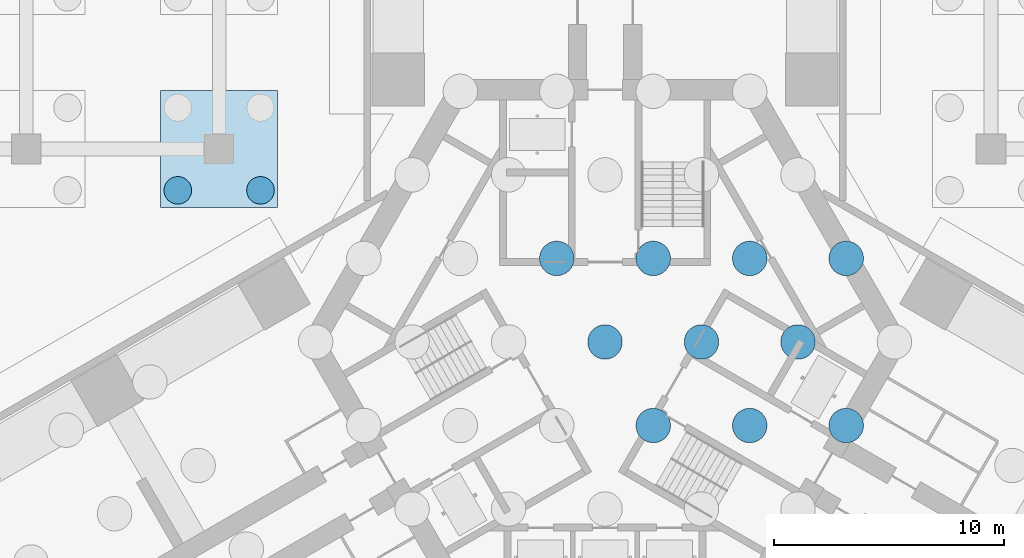
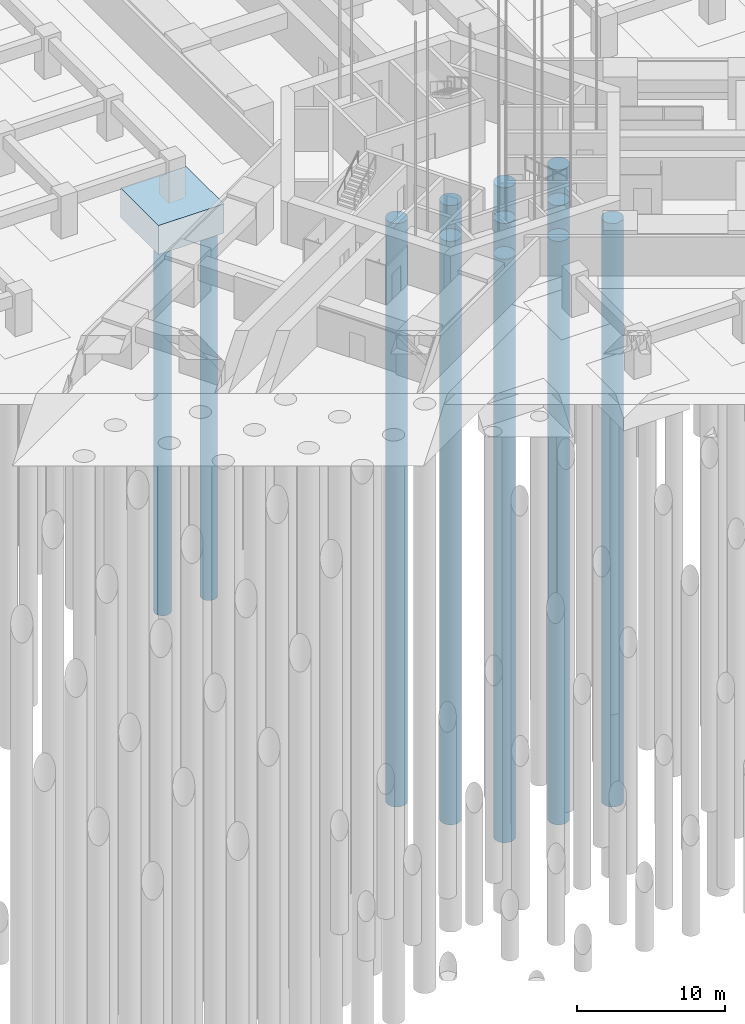
# One storey, part 17 of 73: 12 piles, 1 footing.
"""IFC4 building model written with IfcOpenShell, lengths in metres."""

from ifc_helpers import new_model, si_unit, direction, frame, origin, origin_2d, place, context, subcontext, project, spatial, polyline, circle, outline, extrude, material, material_profile, profile_set, type_object, element, save


model = new_model("IFC4")

# Units and contexts
model_context = context("Model", 3, precision=1e-05, world=origin(), true_north=direction((0.0, 1.0)))
body_context = subcontext(model_context, "Body", "Model", "MODEL_VIEW")
ifc_project = project(units=[si_unit("LENGTHUNIT", "METRE"), si_unit("AREAUNIT", "SQUARE_METRE"), si_unit("VOLUMEUNIT", "CUBIC_METRE"), si_unit("PLANEANGLEUNIT", "RADIAN"), si_unit("MASSUNIT", "GRAM", prefix="KILO")], contexts=[model_context])

# Site, building, storey
site_placement = place(None, origin())
site = spatial("IfcSite", under=ifc_project, at=site_placement, CompositionType="ELEMENT")
building_placement = place(site_placement, origin())
building = spatial("IfcBuilding", under=site, at=building_placement, Name="Impinga Residences", CompositionType="ELEMENT")
storey_placement = place(building_placement, frame((0.0, 0.0, -10.5)))
storey = spatial("IfcBuildingStorey", under=building, at=storey_placement, Name="B3", CompositionType="ELEMENT", Elevation=-10.5)

# Piles
ifc_material_1 = material(Name="Concrete C35/45", Category="concrete")
ifc_material_profile_1 = material_profile(ifc_material_1, circle(Radius=0.75, at=origin_2d()), Name="D1500")
ifc_profile_set_1 = profile_set([ifc_material_profile_1], Name="Concrete C35/45")
pile_type_1 = type_object("IfcPileType", Name="BP1 bored pile D1500", PredefinedType="BORED", material=ifc_profile_set_1)
pile_1_placement = place(storey_placement, frame((2.10009765625, -3.63720703125, -4.0), z_axis=(0.0, 0.0, -1.0), x_axis=(1.0, 0.0, 0.0)))
element("IfcPile", 1, at=pile_1_placement, inside=storey, type_object=pile_type_1, Name="Raft pile BP1-087", PredefinedType="BORED", context=body_context, shape_type="SweptSolid", body=[
    extrude(outline(polyline([(0.75, 0.0), (0.746337890625, 0.073486328125), (0.735595703125, 0.146240234375), (0.7177734375, 0.2177734375), (0.69287109375, 0.287109375), (0.661376953125, 0.353515625), (0.62353515625, 0.416748046875), (0.579833984375, 0.475830078125), (0.5302734375, 0.5302734375), (0.475830078125, 0.579833984375), (0.416748046875, 0.62353515625), (0.353515625, 0.661376953125), (0.287109375, 0.69287109375), (0.2177734375, 0.7177734375), (0.146240234375, 0.735595703125), (0.073486328125, 0.746337890625), (0.0, 0.75), (-0.073486328125, 0.746337890625), (-0.146240234375, 0.735595703125), (-0.2177734375, 0.7177734375), (-0.287109375, 0.69287109375), (-0.353515625, 0.661376953125), (-0.416748046875, 0.62353515625), (-0.475830078125, 0.579833984375), (-0.5302734375, 0.5302734375), (-0.579833984375, 0.475830078125), (-0.62353515625, 0.416748046875), (-0.661376953125, 0.353515625), (-0.69287109375, 0.287109375), (-0.7177734375, 0.2177734375), (-0.735595703125, 0.146240234375), (-0.746337890625, 0.073486328125), (-0.75, 0.0), (-0.746337890625, -0.073486328125), (-0.735595703125, -0.146240234375), (-0.7177734375, -0.2177734375), (-0.69287109375, -0.287109375), (-0.661376953125, -0.353515625), (-0.62353515625, -0.416748046875), (-0.579833984375, -0.475830078125), (-0.5302734375, -0.5302734375), (-0.475830078125, -0.579833984375), (-0.416748046875, -0.62353515625), (-0.353515625, -0.661376953125), (-0.287109375, -0.69287109375), (-0.2177734375, -0.7177734375), (-0.146240234375, -0.735595703125), (-0.073486328125, -0.746337890625), (0.0, -0.75), (0.073486328125, -0.746337890625), (0.146240234375, -0.735595703125), (0.2177734375, -0.7177734375), (0.287109375, -0.69287109375), (0.353515625, -0.661376953125), (0.416748046875, -0.62353515625), (0.475830078125, -0.579833984375), (0.5302734375, -0.5302734375), (0.579833984375, -0.475830078125), (0.62353515625, -0.416748046875), (0.661376953125, -0.353515625), (0.69287109375, -0.287109375), (0.7177734375, -0.2177734375), (0.735595703125, -0.146240234375), (0.746337890625, -0.073486328125), (0.75, 0.0)])), origin(), (0.0, 0.0, 1.0), 48.0),
])
pile_2_placement = place(storey_placement, frame((6.300048828125, -3.63720703125, -4.0), z_axis=(0.0, 0.0, -1.0), x_axis=(1.0, 0.0, 0.0)))
element("IfcPile", 2, at=pile_2_placement, inside=storey, type_object=pile_type_1, Name="Raft pile BP1-088", PredefinedType="BORED", context=body_context, shape_type="SweptSolid", body=[
    extrude(outline(polyline([(0.75, 0.0), (0.746337890625, 0.073486328125), (0.735595703125, 0.146240234375), (0.7177734375, 0.2177734375), (0.69287109375, 0.287109375), (0.661376953125, 0.353515625), (0.62353515625, 0.416748046875), (0.579833984375, 0.475830078125), (0.5302734375, 0.5302734375), (0.475830078125, 0.579833984375), (0.416748046875, 0.62353515625), (0.353515625, 0.661376953125), (0.287109375, 0.69287109375), (0.2177734375, 0.7177734375), (0.146240234375, 0.735595703125), (0.073486328125, 0.746337890625), (0.0, 0.75), (-0.073486328125, 0.746337890625), (-0.146240234375, 0.735595703125), (-0.2177734375, 0.7177734375), (-0.287109375, 0.69287109375), (-0.353515625, 0.661376953125), (-0.416748046875, 0.62353515625), (-0.475830078125, 0.579833984375), (-0.5302734375, 0.5302734375), (-0.579833984375, 0.475830078125), (-0.62353515625, 0.416748046875), (-0.661376953125, 0.353515625), (-0.69287109375, 0.287109375), (-0.7177734375, 0.2177734375), (-0.735595703125, 0.146240234375), (-0.746337890625, 0.073486328125), (-0.75, 0.0), (-0.746337890625, -0.073486328125), (-0.735595703125, -0.146240234375), (-0.7177734375, -0.2177734375), (-0.69287109375, -0.287109375), (-0.661376953125, -0.353515625), (-0.62353515625, -0.416748046875), (-0.579833984375, -0.475830078125), (-0.5302734375, -0.5302734375), (-0.475830078125, -0.579833984375), (-0.416748046875, -0.62353515625), (-0.353515625, -0.661376953125), (-0.287109375, -0.69287109375), (-0.2177734375, -0.7177734375), (-0.146240234375, -0.735595703125), (-0.073486328125, -0.746337890625), (0.0, -0.75), (0.073486328125, -0.746337890625), (0.146240234375, -0.735595703125), (0.2177734375, -0.7177734375), (0.287109375, -0.69287109375), (0.353515625, -0.661376953125), (0.416748046875, -0.62353515625), (0.475830078125, -0.579833984375), (0.5302734375, -0.5302734375), (0.579833984375, -0.475830078125), (0.62353515625, -0.416748046875), (0.661376953125, -0.353515625), (0.69287109375, -0.287109375), (0.7177734375, -0.2177734375), (0.735595703125, -0.146240234375), (0.746337890625, -0.073486328125), (0.75, 0.0)])), origin(), (0.0, 0.0, 1.0), 48.0),
])
pile_3_placement = place(storey_placement, frame((10.5, -3.63720703125, -4.0), z_axis=(0.0, 0.0, -1.0), x_axis=(1.0, 0.0, 0.0)))
element("IfcPile", 3, at=pile_3_placement, inside=storey, type_object=pile_type_1, Name="Raft pile BP1-089", PredefinedType="BORED", context=body_context, shape_type="SweptSolid", body=[
    extrude(outline(polyline([(0.75, 0.0), (0.746337890625, 0.073486328125), (0.735595703125, 0.146240234375), (0.7177734375, 0.2177734375), (0.69287109375, 0.287109375), (0.661376953125, 0.353515625), (0.62353515625, 0.416748046875), (0.579833984375, 0.475830078125), (0.5302734375, 0.5302734375), (0.475830078125, 0.579833984375), (0.416748046875, 0.62353515625), (0.353515625, 0.661376953125), (0.287109375, 0.69287109375), (0.2177734375, 0.7177734375), (0.146240234375, 0.735595703125), (0.073486328125, 0.746337890625), (0.0, 0.75), (-0.073486328125, 0.746337890625), (-0.146240234375, 0.735595703125), (-0.2177734375, 0.7177734375), (-0.287109375, 0.69287109375), (-0.353515625, 0.661376953125), (-0.416748046875, 0.62353515625), (-0.475830078125, 0.579833984375), (-0.5302734375, 0.5302734375), (-0.579833984375, 0.475830078125), (-0.62353515625, 0.416748046875), (-0.661376953125, 0.353515625), (-0.69287109375, 0.287109375), (-0.7177734375, 0.2177734375), (-0.735595703125, 0.146240234375), (-0.746337890625, 0.073486328125), (-0.75, 0.0), (-0.746337890625, -0.073486328125), (-0.735595703125, -0.146240234375), (-0.7177734375, -0.2177734375), (-0.69287109375, -0.287109375), (-0.661376953125, -0.353515625), (-0.62353515625, -0.416748046875), (-0.579833984375, -0.475830078125), (-0.5302734375, -0.5302734375), (-0.475830078125, -0.579833984375), (-0.416748046875, -0.62353515625), (-0.353515625, -0.661376953125), (-0.287109375, -0.69287109375), (-0.2177734375, -0.7177734375), (-0.146240234375, -0.735595703125), (-0.073486328125, -0.746337890625), (0.0, -0.75), (0.073486328125, -0.746337890625), (0.146240234375, -0.735595703125), (0.2177734375, -0.7177734375), (0.287109375, -0.69287109375), (0.353515625, -0.661376953125), (0.416748046875, -0.62353515625), (0.475830078125, -0.579833984375), (0.5302734375, -0.5302734375), (0.579833984375, -0.475830078125), (0.62353515625, -0.416748046875), (0.661376953125, -0.353515625), (0.69287109375, -0.287109375), (0.7177734375, -0.2177734375), (0.735595703125, -0.146240234375), (0.746337890625, -0.073486328125), (0.75, 0.0)])), origin(), (0.0, 0.0, 1.0), 48.0),
])
pile_4_placement = place(storey_placement, frame((0.0, 0.0, -4.0), z_axis=(0.0, 0.0, -1.0), x_axis=(1.0, 0.0, 0.0)))
element("IfcPile", 4, at=pile_4_placement, inside=storey, type_object=pile_type_1, Name="Raft pile BP1-095", PredefinedType="BORED", context=body_context, shape_type="SweptSolid", body=[
    extrude(outline(polyline([(0.75, 0.0), (0.746337890625, 0.073486328125), (0.735595703125, 0.146240234375), (0.7177734375, 0.2177734375), (0.69287109375, 0.287109375), (0.661376953125, 0.353515625), (0.62353515625, 0.416748046875), (0.579833984375, 0.475830078125), (0.5302734375, 0.5302734375), (0.475830078125, 0.579833984375), (0.416748046875, 0.62353515625), (0.353515625, 0.661376953125), (0.287109375, 0.69287109375), (0.2177734375, 0.7177734375), (0.146240234375, 0.735595703125), (0.073486328125, 0.746337890625), (0.0, 0.75), (-0.073486328125, 0.746337890625), (-0.146240234375, 0.735595703125), (-0.2177734375, 0.7177734375), (-0.287109375, 0.69287109375), (-0.353515625, 0.661376953125), (-0.416748046875, 0.62353515625), (-0.475830078125, 0.579833984375), (-0.5302734375, 0.5302734375), (-0.579833984375, 0.475830078125), (-0.62353515625, 0.416748046875), (-0.661376953125, 0.353515625), (-0.69287109375, 0.287109375), (-0.7177734375, 0.2177734375), (-0.735595703125, 0.146240234375), (-0.746337890625, 0.073486328125), (-0.75, 0.0), (-0.746337890625, -0.073486328125), (-0.735595703125, -0.146240234375), (-0.7177734375, -0.2177734375), (-0.69287109375, -0.287109375), (-0.661376953125, -0.353515625), (-0.62353515625, -0.416748046875), (-0.579833984375, -0.475830078125), (-0.5302734375, -0.5302734375), (-0.475830078125, -0.579833984375), (-0.416748046875, -0.62353515625), (-0.353515625, -0.661376953125), (-0.287109375, -0.69287109375), (-0.2177734375, -0.7177734375), (-0.146240234375, -0.735595703125), (-0.073486328125, -0.746337890625), (0.0, -0.75), (0.073486328125, -0.746337890625), (0.146240234375, -0.735595703125), (0.2177734375, -0.7177734375), (0.287109375, -0.69287109375), (0.353515625, -0.661376953125), (0.416748046875, -0.62353515625), (0.475830078125, -0.579833984375), (0.5302734375, -0.5302734375), (0.579833984375, -0.475830078125), (0.62353515625, -0.416748046875), (0.661376953125, -0.353515625), (0.69287109375, -0.287109375), (0.7177734375, -0.2177734375), (0.735595703125, -0.146240234375), (0.746337890625, -0.073486328125), (0.75, 0.0)])), origin(), (0.0, 0.0, 1.0), 48.0),
])
pile_5_placement = place(storey_placement, frame((4.199951171875, 0.0, -4.0), z_axis=(0.0, 0.0, -1.0), x_axis=(1.0, 0.0, 0.0)))
element("IfcPile", 5, at=pile_5_placement, inside=storey, type_object=pile_type_1, Name="Raft pile BP1-096", PredefinedType="BORED", context=body_context, shape_type="SweptSolid", body=[
    extrude(outline(polyline([(0.75, 0.0), (0.746337890625, 0.073486328125), (0.735595703125, 0.146240234375), (0.7177734375, 0.2177734375), (0.69287109375, 0.287109375), (0.661376953125, 0.353515625), (0.62353515625, 0.416748046875), (0.579833984375, 0.475830078125), (0.5302734375, 0.5302734375), (0.475830078125, 0.579833984375), (0.416748046875, 0.62353515625), (0.353515625, 0.661376953125), (0.287109375, 0.69287109375), (0.2177734375, 0.7177734375), (0.146240234375, 0.735595703125), (0.073486328125, 0.746337890625), (0.0, 0.75), (-0.073486328125, 0.746337890625), (-0.146240234375, 0.735595703125), (-0.2177734375, 0.7177734375), (-0.287109375, 0.69287109375), (-0.353515625, 0.661376953125), (-0.416748046875, 0.62353515625), (-0.475830078125, 0.579833984375), (-0.5302734375, 0.5302734375), (-0.579833984375, 0.475830078125), (-0.62353515625, 0.416748046875), (-0.661376953125, 0.353515625), (-0.69287109375, 0.287109375), (-0.7177734375, 0.2177734375), (-0.735595703125, 0.146240234375), (-0.746337890625, 0.073486328125), (-0.75, 0.0), (-0.746337890625, -0.073486328125), (-0.735595703125, -0.146240234375), (-0.7177734375, -0.2177734375), (-0.69287109375, -0.287109375), (-0.661376953125, -0.353515625), (-0.62353515625, -0.416748046875), (-0.579833984375, -0.475830078125), (-0.5302734375, -0.5302734375), (-0.475830078125, -0.579833984375), (-0.416748046875, -0.62353515625), (-0.353515625, -0.661376953125), (-0.287109375, -0.69287109375), (-0.2177734375, -0.7177734375), (-0.146240234375, -0.735595703125), (-0.073486328125, -0.746337890625), (0.0, -0.75), (0.073486328125, -0.746337890625), (0.146240234375, -0.735595703125), (0.2177734375, -0.7177734375), (0.287109375, -0.69287109375), (0.353515625, -0.661376953125), (0.416748046875, -0.62353515625), (0.475830078125, -0.579833984375), (0.5302734375, -0.5302734375), (0.579833984375, -0.475830078125), (0.62353515625, -0.416748046875), (0.661376953125, -0.353515625), (0.69287109375, -0.287109375), (0.7177734375, -0.2177734375), (0.735595703125, -0.146240234375), (0.746337890625, -0.073486328125), (0.75, 0.0)])), origin(), (0.0, 0.0, 1.0), 48.0),
])
pile_6_placement = place(storey_placement, frame((8.39990234375, 0.0, -4.0), z_axis=(0.0, 0.0, -1.0), x_axis=(1.0, 0.0, 0.0)))
element("IfcPile", 6, at=pile_6_placement, inside=storey, type_object=pile_type_1, Name="Raft pile BP1-097", PredefinedType="BORED", context=body_context, shape_type="SweptSolid", body=[
    extrude(outline(polyline([(0.75, 0.0), (0.746337890625, 0.073486328125), (0.735595703125, 0.146240234375), (0.7177734375, 0.2177734375), (0.69287109375, 0.287109375), (0.661376953125, 0.353515625), (0.62353515625, 0.416748046875), (0.579833984375, 0.475830078125), (0.5302734375, 0.5302734375), (0.475830078125, 0.579833984375), (0.416748046875, 0.62353515625), (0.353515625, 0.661376953125), (0.287109375, 0.69287109375), (0.2177734375, 0.7177734375), (0.146240234375, 0.735595703125), (0.073486328125, 0.746337890625), (0.0, 0.75), (-0.073486328125, 0.746337890625), (-0.146240234375, 0.735595703125), (-0.2177734375, 0.7177734375), (-0.287109375, 0.69287109375), (-0.353515625, 0.661376953125), (-0.416748046875, 0.62353515625), (-0.475830078125, 0.579833984375), (-0.5302734375, 0.5302734375), (-0.579833984375, 0.475830078125), (-0.62353515625, 0.416748046875), (-0.661376953125, 0.353515625), (-0.69287109375, 0.287109375), (-0.7177734375, 0.2177734375), (-0.735595703125, 0.146240234375), (-0.746337890625, 0.073486328125), (-0.75, 0.0), (-0.746337890625, -0.073486328125), (-0.735595703125, -0.146240234375), (-0.7177734375, -0.2177734375), (-0.69287109375, -0.287109375), (-0.661376953125, -0.353515625), (-0.62353515625, -0.416748046875), (-0.579833984375, -0.475830078125), (-0.5302734375, -0.5302734375), (-0.475830078125, -0.579833984375), (-0.416748046875, -0.62353515625), (-0.353515625, -0.661376953125), (-0.287109375, -0.69287109375), (-0.2177734375, -0.7177734375), (-0.146240234375, -0.735595703125), (-0.073486328125, -0.746337890625), (0.0, -0.75), (0.073486328125, -0.746337890625), (0.146240234375, -0.735595703125), (0.2177734375, -0.7177734375), (0.287109375, -0.69287109375), (0.353515625, -0.661376953125), (0.416748046875, -0.62353515625), (0.475830078125, -0.579833984375), (0.5302734375, -0.5302734375), (0.579833984375, -0.475830078125), (0.62353515625, -0.416748046875), (0.661376953125, -0.353515625), (0.69287109375, -0.287109375), (0.7177734375, -0.2177734375), (0.735595703125, -0.146240234375), (0.746337890625, -0.073486328125), (0.75, 0.0)])), origin(), (0.0, 0.0, 1.0), 48.0),
])
pile_7_placement = place(storey_placement, frame((-2.10009765625, 3.63720703125, -4.0), z_axis=(0.0, 0.0, -1.0), x_axis=(1.0, 0.0, 0.0)))
element("IfcPile", 7, at=pile_7_placement, inside=storey, type_object=pile_type_1, Name="Raft pile BP1-101", PredefinedType="BORED", context=body_context, shape_type="SweptSolid", body=[
    extrude(outline(polyline([(0.75, 0.0), (0.746337890625, 0.073486328125), (0.735595703125, 0.146240234375), (0.7177734375, 0.2177734375), (0.69287109375, 0.287109375), (0.661376953125, 0.353515625), (0.62353515625, 0.416748046875), (0.579833984375, 0.475830078125), (0.5302734375, 0.5302734375), (0.475830078125, 0.579833984375), (0.416748046875, 0.62353515625), (0.353515625, 0.661376953125), (0.287109375, 0.69287109375), (0.2177734375, 0.7177734375), (0.146240234375, 0.735595703125), (0.073486328125, 0.746337890625), (0.0, 0.75), (-0.073486328125, 0.746337890625), (-0.146240234375, 0.735595703125), (-0.2177734375, 0.7177734375), (-0.287109375, 0.69287109375), (-0.353515625, 0.661376953125), (-0.416748046875, 0.62353515625), (-0.475830078125, 0.579833984375), (-0.5302734375, 0.5302734375), (-0.579833984375, 0.475830078125), (-0.62353515625, 0.416748046875), (-0.661376953125, 0.353515625), (-0.69287109375, 0.287109375), (-0.7177734375, 0.2177734375), (-0.735595703125, 0.146240234375), (-0.746337890625, 0.073486328125), (-0.75, 0.0), (-0.746337890625, -0.073486328125), (-0.735595703125, -0.146240234375), (-0.7177734375, -0.2177734375), (-0.69287109375, -0.287109375), (-0.661376953125, -0.353515625), (-0.62353515625, -0.416748046875), (-0.579833984375, -0.475830078125), (-0.5302734375, -0.5302734375), (-0.475830078125, -0.579833984375), (-0.416748046875, -0.62353515625), (-0.353515625, -0.661376953125), (-0.287109375, -0.69287109375), (-0.2177734375, -0.7177734375), (-0.146240234375, -0.735595703125), (-0.073486328125, -0.746337890625), (0.0, -0.75), (0.073486328125, -0.746337890625), (0.146240234375, -0.735595703125), (0.2177734375, -0.7177734375), (0.287109375, -0.69287109375), (0.353515625, -0.661376953125), (0.416748046875, -0.62353515625), (0.475830078125, -0.579833984375), (0.5302734375, -0.5302734375), (0.579833984375, -0.475830078125), (0.62353515625, -0.416748046875), (0.661376953125, -0.353515625), (0.69287109375, -0.287109375), (0.7177734375, -0.2177734375), (0.735595703125, -0.146240234375), (0.746337890625, -0.073486328125), (0.75, 0.0)])), origin(), (0.0, 0.0, 1.0), 48.0),
])
pile_8_placement = place(storey_placement, frame((2.10009765625, 3.63720703125, -4.0), z_axis=(0.0, 0.0, -1.0), x_axis=(1.0, 0.0, 0.0)))
element("IfcPile", 8, at=pile_8_placement, inside=storey, type_object=pile_type_1, Name="Raft pile BP1-102", PredefinedType="BORED", context=body_context, shape_type="SweptSolid", body=[
    extrude(outline(polyline([(0.75, 0.0), (0.746337890625, 0.073486328125), (0.735595703125, 0.146240234375), (0.7177734375, 0.2177734375), (0.69287109375, 0.287109375), (0.661376953125, 0.353515625), (0.62353515625, 0.416748046875), (0.579833984375, 0.475830078125), (0.5302734375, 0.5302734375), (0.475830078125, 0.579833984375), (0.416748046875, 0.62353515625), (0.353515625, 0.661376953125), (0.287109375, 0.69287109375), (0.2177734375, 0.7177734375), (0.146240234375, 0.735595703125), (0.073486328125, 0.746337890625), (0.0, 0.75), (-0.073486328125, 0.746337890625), (-0.146240234375, 0.735595703125), (-0.2177734375, 0.7177734375), (-0.287109375, 0.69287109375), (-0.353515625, 0.661376953125), (-0.416748046875, 0.62353515625), (-0.475830078125, 0.579833984375), (-0.5302734375, 0.5302734375), (-0.579833984375, 0.475830078125), (-0.62353515625, 0.416748046875), (-0.661376953125, 0.353515625), (-0.69287109375, 0.287109375), (-0.7177734375, 0.2177734375), (-0.735595703125, 0.146240234375), (-0.746337890625, 0.073486328125), (-0.75, 0.0), (-0.746337890625, -0.073486328125), (-0.735595703125, -0.146240234375), (-0.7177734375, -0.2177734375), (-0.69287109375, -0.287109375), (-0.661376953125, -0.353515625), (-0.62353515625, -0.416748046875), (-0.579833984375, -0.475830078125), (-0.5302734375, -0.5302734375), (-0.475830078125, -0.579833984375), (-0.416748046875, -0.62353515625), (-0.353515625, -0.661376953125), (-0.287109375, -0.69287109375), (-0.2177734375, -0.7177734375), (-0.146240234375, -0.735595703125), (-0.073486328125, -0.746337890625), (0.0, -0.75), (0.073486328125, -0.746337890625), (0.146240234375, -0.735595703125), (0.2177734375, -0.7177734375), (0.287109375, -0.69287109375), (0.353515625, -0.661376953125), (0.416748046875, -0.62353515625), (0.475830078125, -0.579833984375), (0.5302734375, -0.5302734375), (0.579833984375, -0.475830078125), (0.62353515625, -0.416748046875), (0.661376953125, -0.353515625), (0.69287109375, -0.287109375), (0.7177734375, -0.2177734375), (0.735595703125, -0.146240234375), (0.746337890625, -0.073486328125), (0.75, 0.0)])), origin(), (0.0, 0.0, 1.0), 48.0),
])
pile_9_placement = place(storey_placement, frame((6.300048828125, 3.63720703125, -4.0), z_axis=(0.0, 0.0, -1.0), x_axis=(1.0, 0.0, 0.0)))
element("IfcPile", 9, at=pile_9_placement, inside=storey, type_object=pile_type_1, Name="Raft pile BP1-103", PredefinedType="BORED", context=body_context, shape_type="SweptSolid", body=[
    extrude(outline(polyline([(0.75, 0.0), (0.746337890625, 0.073486328125), (0.735595703125, 0.146240234375), (0.7177734375, 0.2177734375), (0.69287109375, 0.287109375), (0.661376953125, 0.353515625), (0.62353515625, 0.416748046875), (0.579833984375, 0.475830078125), (0.5302734375, 0.5302734375), (0.475830078125, 0.579833984375), (0.416748046875, 0.62353515625), (0.353515625, 0.661376953125), (0.287109375, 0.69287109375), (0.2177734375, 0.7177734375), (0.146240234375, 0.735595703125), (0.073486328125, 0.746337890625), (0.0, 0.75), (-0.073486328125, 0.746337890625), (-0.146240234375, 0.735595703125), (-0.2177734375, 0.7177734375), (-0.287109375, 0.69287109375), (-0.353515625, 0.661376953125), (-0.416748046875, 0.62353515625), (-0.475830078125, 0.579833984375), (-0.5302734375, 0.5302734375), (-0.579833984375, 0.475830078125), (-0.62353515625, 0.416748046875), (-0.661376953125, 0.353515625), (-0.69287109375, 0.287109375), (-0.7177734375, 0.2177734375), (-0.735595703125, 0.146240234375), (-0.746337890625, 0.073486328125), (-0.75, 0.0), (-0.746337890625, -0.073486328125), (-0.735595703125, -0.146240234375), (-0.7177734375, -0.2177734375), (-0.69287109375, -0.287109375), (-0.661376953125, -0.353515625), (-0.62353515625, -0.416748046875), (-0.579833984375, -0.475830078125), (-0.5302734375, -0.5302734375), (-0.475830078125, -0.579833984375), (-0.416748046875, -0.62353515625), (-0.353515625, -0.661376953125), (-0.287109375, -0.69287109375), (-0.2177734375, -0.7177734375), (-0.146240234375, -0.735595703125), (-0.073486328125, -0.746337890625), (0.0, -0.75), (0.073486328125, -0.746337890625), (0.146240234375, -0.735595703125), (0.2177734375, -0.7177734375), (0.287109375, -0.69287109375), (0.353515625, -0.661376953125), (0.416748046875, -0.62353515625), (0.475830078125, -0.579833984375), (0.5302734375, -0.5302734375), (0.579833984375, -0.475830078125), (0.62353515625, -0.416748046875), (0.661376953125, -0.353515625), (0.69287109375, -0.287109375), (0.7177734375, -0.2177734375), (0.735595703125, -0.146240234375), (0.746337890625, -0.073486328125), (0.75, 0.0)])), origin(), (0.0, 0.0, 1.0), 48.0),
])
pile_10_placement = place(storey_placement, frame((10.5, 3.63720703125, -4.0), z_axis=(0.0, 0.0, -1.0), x_axis=(1.0, 0.0, 0.0)))
element("IfcPile", 10, at=pile_10_placement, inside=storey, type_object=pile_type_1, Name="Raft pile BP1-104", PredefinedType="BORED", context=body_context, shape_type="SweptSolid", body=[
    extrude(outline(polyline([(0.75, 0.0), (0.746337890625, 0.073486328125), (0.735595703125, 0.146240234375), (0.7177734375, 0.2177734375), (0.69287109375, 0.287109375), (0.661376953125, 0.353515625), (0.62353515625, 0.416748046875), (0.579833984375, 0.475830078125), (0.5302734375, 0.5302734375), (0.475830078125, 0.579833984375), (0.416748046875, 0.62353515625), (0.353515625, 0.661376953125), (0.287109375, 0.69287109375), (0.2177734375, 0.7177734375), (0.146240234375, 0.735595703125), (0.073486328125, 0.746337890625), (0.0, 0.75), (-0.073486328125, 0.746337890625), (-0.146240234375, 0.735595703125), (-0.2177734375, 0.7177734375), (-0.287109375, 0.69287109375), (-0.353515625, 0.661376953125), (-0.416748046875, 0.62353515625), (-0.475830078125, 0.579833984375), (-0.5302734375, 0.5302734375), (-0.579833984375, 0.475830078125), (-0.62353515625, 0.416748046875), (-0.661376953125, 0.353515625), (-0.69287109375, 0.287109375), (-0.7177734375, 0.2177734375), (-0.735595703125, 0.146240234375), (-0.746337890625, 0.073486328125), (-0.75, 0.0), (-0.746337890625, -0.073486328125), (-0.735595703125, -0.146240234375), (-0.7177734375, -0.2177734375), (-0.69287109375, -0.287109375), (-0.661376953125, -0.353515625), (-0.62353515625, -0.416748046875), (-0.579833984375, -0.475830078125), (-0.5302734375, -0.5302734375), (-0.475830078125, -0.579833984375), (-0.416748046875, -0.62353515625), (-0.353515625, -0.661376953125), (-0.287109375, -0.69287109375), (-0.2177734375, -0.7177734375), (-0.146240234375, -0.735595703125), (-0.073486328125, -0.746337890625), (0.0, -0.75), (0.073486328125, -0.746337890625), (0.146240234375, -0.735595703125), (0.2177734375, -0.7177734375), (0.287109375, -0.69287109375), (0.353515625, -0.661376953125), (0.416748046875, -0.62353515625), (0.475830078125, -0.579833984375), (0.5302734375, -0.5302734375), (0.579833984375, -0.475830078125), (0.62353515625, -0.416748046875), (0.661376953125, -0.353515625), (0.69287109375, -0.287109375), (0.7177734375, -0.2177734375), (0.735595703125, -0.146240234375), (0.746337890625, -0.073486328125), (0.75, 0.0)])), origin(), (0.0, 0.0, 1.0), 48.0),
])
ifc_material_profile_2 = material_profile(ifc_material_1, circle(Radius=0.60009765625, at=origin_2d()), Name="D1200")
ifc_profile_set_2 = profile_set([ifc_material_profile_2], Name="Concrete C35/45")
pile_type_2 = type_object("IfcPileType", Name="BP2 bored pile D1200", PredefinedType="BORED", material=ifc_profile_set_2)
pile_11_placement = place(storey_placement, frame((-18.60009765625, 6.60009765625, -2.39990234375), z_axis=(0.0, 0.0, -1.0), x_axis=(1.0, 0.0, 0.0)))
element("IfcPile", 11, at=pile_11_placement, inside=storey, type_object=pile_type_2, Name="Cap pile BP2 5/G-1", PredefinedType="BORED", context=body_context, shape_type="SweptSolid", body=[
    extrude(outline(polyline([(0.60009765625, 0.0), (0.59716796875, 0.058837890625), (0.58837890625, 0.116943359375), (0.57421875, 0.174072265625), (0.554443359375, 0.2294921875), (0.529052734375, 0.282958984375), (0.498779296875, 0.333251953125), (0.4638671875, 0.380615234375), (0.42431640625, 0.42431640625), (0.380615234375, 0.4638671875), (0.333251953125, 0.498779296875), (0.282958984375, 0.529052734375), (0.2294921875, 0.554443359375), (0.174072265625, 0.57421875), (0.116943359375, 0.58837890625), (0.058837890625, 0.59716796875), (0.0, 0.60009765625), (-0.058837890625, 0.59716796875), (-0.116943359375, 0.58837890625), (-0.174072265625, 0.57421875), (-0.2294921875, 0.554443359375), (-0.282958984375, 0.529052734375), (-0.333251953125, 0.498779296875), (-0.380615234375, 0.4638671875), (-0.42431640625, 0.42431640625), (-0.4638671875, 0.380615234375), (-0.498779296875, 0.333251953125), (-0.529052734375, 0.282958984375), (-0.554443359375, 0.2294921875), (-0.57421875, 0.174072265625), (-0.58837890625, 0.116943359375), (-0.59716796875, 0.058837890625), (-0.60009765625, 0.0), (-0.59716796875, -0.058837890625), (-0.58837890625, -0.116943359375), (-0.57421875, -0.174072265625), (-0.554443359375, -0.2294921875), (-0.529052734375, -0.282958984375), (-0.498779296875, -0.333251953125), (-0.4638671875, -0.380615234375), (-0.42431640625, -0.42431640625), (-0.380615234375, -0.4638671875), (-0.333251953125, -0.498779296875), (-0.282958984375, -0.529052734375), (-0.2294921875, -0.554443359375), (-0.174072265625, -0.57421875), (-0.116943359375, -0.58837890625), (-0.058837890625, -0.59716796875), (0.0, -0.60009765625), (0.058837890625, -0.59716796875), (0.116943359375, -0.58837890625), (0.174072265625, -0.57421875), (0.2294921875, -0.554443359375), (0.282958984375, -0.529052734375), (0.333251953125, -0.498779296875), (0.380615234375, -0.4638671875), (0.42431640625, -0.42431640625), (0.4638671875, -0.380615234375), (0.498779296875, -0.333251953125), (0.529052734375, -0.282958984375), (0.554443359375, -0.2294921875), (0.57421875, -0.174072265625), (0.58837890625, -0.116943359375), (0.59716796875, -0.058837890625), (0.60009765625, 0.0)])), origin(), (0.0, 0.0, 1.0), 30.0),
])
pile_12_placement = place(storey_placement, frame((-15.0, 6.60009765625, -2.39990234375), z_axis=(0.0, 0.0, -1.0), x_axis=(1.0, 0.0, 0.0)))
element("IfcPile", 12, at=pile_12_placement, inside=storey, type_object=pile_type_2, Name="Cap pile BP2 5/G-2", PredefinedType="BORED", context=body_context, shape_type="SweptSolid", body=[
    extrude(outline(polyline([(0.60009765625, 0.0), (0.59716796875, 0.058837890625), (0.58837890625, 0.116943359375), (0.57421875, 0.174072265625), (0.554443359375, 0.2294921875), (0.529052734375, 0.282958984375), (0.498779296875, 0.333251953125), (0.4638671875, 0.380615234375), (0.42431640625, 0.42431640625), (0.380615234375, 0.4638671875), (0.333251953125, 0.498779296875), (0.282958984375, 0.529052734375), (0.2294921875, 0.554443359375), (0.174072265625, 0.57421875), (0.116943359375, 0.58837890625), (0.058837890625, 0.59716796875), (0.0, 0.60009765625), (-0.058837890625, 0.59716796875), (-0.116943359375, 0.58837890625), (-0.174072265625, 0.57421875), (-0.2294921875, 0.554443359375), (-0.282958984375, 0.529052734375), (-0.333251953125, 0.498779296875), (-0.380615234375, 0.4638671875), (-0.42431640625, 0.42431640625), (-0.4638671875, 0.380615234375), (-0.498779296875, 0.333251953125), (-0.529052734375, 0.282958984375), (-0.554443359375, 0.2294921875), (-0.57421875, 0.174072265625), (-0.58837890625, 0.116943359375), (-0.59716796875, 0.058837890625), (-0.60009765625, 0.0), (-0.59716796875, -0.058837890625), (-0.58837890625, -0.116943359375), (-0.57421875, -0.174072265625), (-0.554443359375, -0.2294921875), (-0.529052734375, -0.282958984375), (-0.498779296875, -0.333251953125), (-0.4638671875, -0.380615234375), (-0.42431640625, -0.42431640625), (-0.380615234375, -0.4638671875), (-0.333251953125, -0.498779296875), (-0.282958984375, -0.529052734375), (-0.2294921875, -0.554443359375), (-0.174072265625, -0.57421875), (-0.116943359375, -0.58837890625), (-0.058837890625, -0.59716796875), (0.0, -0.60009765625), (0.058837890625, -0.59716796875), (0.116943359375, -0.58837890625), (0.174072265625, -0.57421875), (0.2294921875, -0.554443359375), (0.282958984375, -0.529052734375), (0.333251953125, -0.498779296875), (0.380615234375, -0.4638671875), (0.42431640625, -0.42431640625), (0.4638671875, -0.380615234375), (0.498779296875, -0.333251953125), (0.529052734375, -0.282958984375), (0.554443359375, -0.2294921875), (0.57421875, -0.174072265625), (0.58837890625, -0.116943359375), (0.59716796875, -0.058837890625), (0.60009765625, 0.0)])), origin(), (0.0, 0.0, 1.0), 30.0),
])

# Footing
ifc_material_2 = material(Name="Concrete C45/55", Category="concrete")
footing_type = type_object("IfcFootingType", Name="PC4 four-pile cap 5100 square 2400 deep", PredefinedType="PILE_CAP", material=ifc_material_2)
footing_placement = place(storey_placement, frame((0.0, 0.0, -2.39990234375)))
element("IfcFooting", 13, at=footing_placement, inside=storey, type_object=footing_type, Name="Pile cap PC4 5/G", PredefinedType="PILE_CAP", context=body_context, shape_type="SweptSolid", body=[
    extrude(outline(polyline([(-14.25, 5.85009765625), (-14.25, 10.949951171875), (-19.35009765625, 10.949951171875), (-19.35009765625, 5.85009765625), (-14.25, 5.85009765625)])), origin(), (0.0, 0.0, 1.0), 2.39990234375),
])

save(model, "model.ifc")
